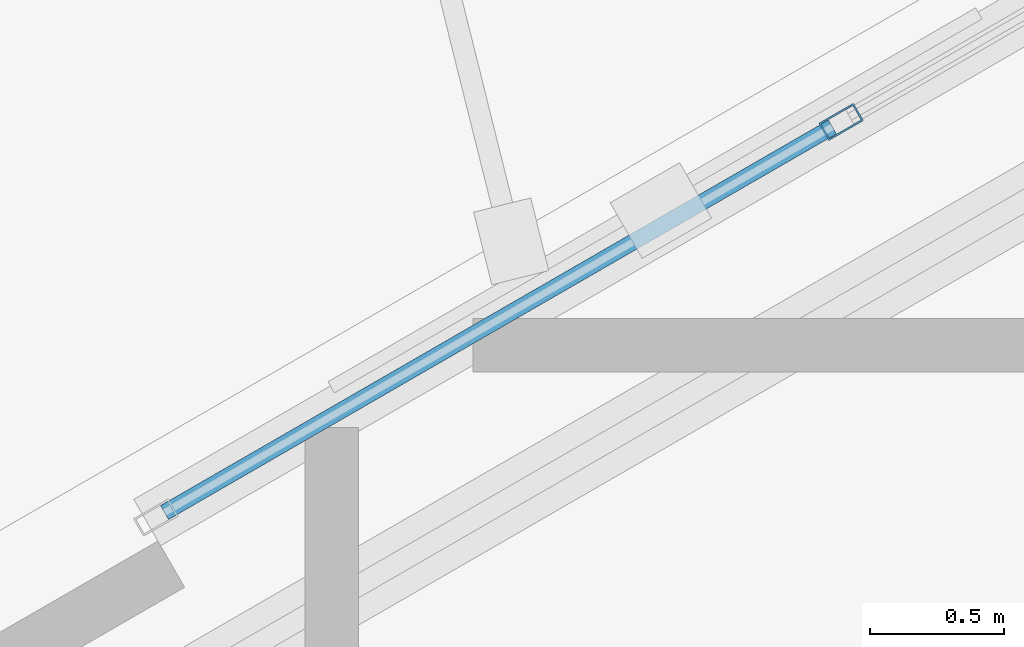
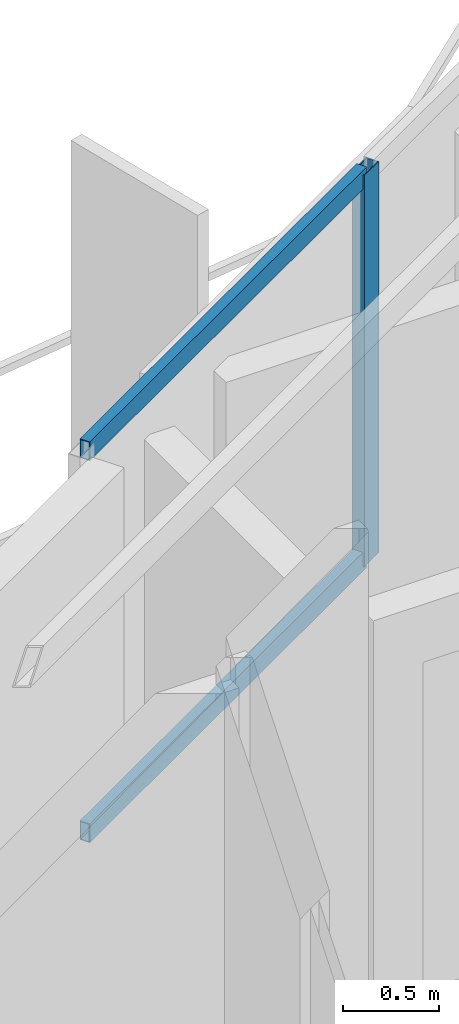
# One storey, part 8 of 22: 3 members, 1 element without a shape of its own.
"""IFC4 building model written with IfcOpenShell, lengths in metres."""

from ifc_helpers import new_model, si_unit, direction, frame, origin, origin_2d, place, context, subcontext, project, spatial, hollow_rectangle, extrude, material, layer, layer_set, material_profile, profile_set, type_object, element, aggregate, save


model = new_model("IFC4")

# Units and contexts
model_context = context("Model", 3, precision=1e-05, world=origin(), true_north=direction((0.0, 1.0)))
body_context = subcontext(model_context, "Body", "Model", "MODEL_VIEW")
ifc_project = project(units=[si_unit("LENGTHUNIT", "METRE"), si_unit("AREAUNIT", "SQUARE_METRE"), si_unit("VOLUMEUNIT", "CUBIC_METRE"), si_unit("PLANEANGLEUNIT", "RADIAN"), si_unit("MASSUNIT", "GRAM", prefix="KILO")], contexts=[model_context])

# Site, building, storey
site_placement = place(None, origin())
site = spatial("IfcSite", under=ifc_project, at=site_placement, CompositionType="ELEMENT")
building_placement = place(site_placement, origin())
building = spatial("IfcBuilding", under=site, at=building_placement, Name="Mersakhor Tower and Convention Hall", CompositionType="ELEMENT")
storey_placement = place(building_placement, frame((0.0, 0.0, 195.300048828125)))
storey = spatial("IfcBuildingStorey", under=building, at=storey_placement, Name="L54", CompositionType="ELEMENT", Elevation=195.300048828125)

# Curtain wall, members
ifc_material_1 = material(Name="Dark solar low-E aluminium curtain wall", Category="aluminium")
ifc_layer = layer(ifc_material_1, 0.169921875)
ifc_layer_set = layer_set([ifc_layer], Name="Dark solar low-E aluminium curtain wall")
curtain_wall_type = type_object("IfcCurtainWallType", Name="CW-SYS-02", PredefinedType="USERDEFINED", material=ifc_layer_set)
curtain_wall_placement = place(storey_placement, origin())
curtain_wall = element("IfcCurtainWall", 1, at=curtain_wall_placement, inside=storey, type_object=curtain_wall_type, Name="L54 Dark-Glass Curtain Wall F1-B2", ObjectType="CURTAIN WALL", PredefinedType="USERDEFINED")
ifc_material_2 = material(Name="Anodised aluminium EN AW-6063 T6", Category="aluminium")
ifc_material_profile_1 = material_profile(ifc_material_2, hollow_rectangle(XDim=0.074951171875, YDim=0.14990234375, WallThickness=0.00634765625, at=origin_2d()), Name="RHS 150x75x6.3")
ifc_profile_set_1 = profile_set([ifc_material_profile_1], Name="Anodised aluminium EN AW-6063 T6")
member_type_1 = type_object("IfcMemberType", Name="CWM-150x75", PredefinedType="MULLION", material=ifc_profile_set_1)
member_1_placement = place(storey_placement, frame((21.906982421875, 36.035888671875, 0.199951171875), z_axis=(0.0, 0.0, 1.0), x_axis=(-0.500007824483, 0.86602088627, 0.0)))
member_1 = element("IfcMember", 2, at=member_1_placement, type_object=member_type_1, Name="CW-02 mullion 2", PredefinedType="MULLION", context=body_context, shape_type="SweptSolid", body=[
    extrude(hollow_rectangle(XDim=0.074951171875, YDim=0.14990234375, WallThickness=0.00634765625, at=origin_2d()), origin(), (0.0, 0.0, 1.0), 2.489990234375),
])
ifc_material_3 = material(Name="Anodised aluminium EN AW-6063 T6", Category="aluminium")
ifc_material_profile_2 = material_profile(ifc_material_3, hollow_rectangle(XDim=0.06005859375, YDim=0.1201171875, WallThickness=0.0048828125, at=origin_2d()), Name="RHS 120x60x5")
ifc_profile_set_2 = profile_set([ifc_material_profile_2], Name="Anodised aluminium EN AW-6063 T6")
member_type_2 = type_object("IfcMemberType", Name="CWT-120x60", PredefinedType="USERDEFINED", material=ifc_profile_set_2)
member_2_placement = place(storey_placement, frame((19.374267578125, 34.573486328125, 0.22998046875), z_axis=(0.86601237176, 0.50002257145, 0.0), x_axis=(-0.50002257145, 0.86601237176, 0.0)))
member_2 = element("IfcMember", 3, at=member_2_placement, type_object=member_type_2, Name="CW-02 transom 1.1", ObjectType="TRANSOM", PredefinedType="USERDEFINED", context=body_context, shape_type="SweptSolid", body=[
    extrude(hollow_rectangle(XDim=0.06005859375, YDim=0.1201171875, WallThickness=0.0048828125, at=origin_2d()), origin(), (0.0, 0.0, 1.0), 2.886962890625),
])
member_3_placement = place(storey_placement, frame((19.374267578125, 34.573486328125, 2.659912109375), z_axis=(0.86601237176, 0.50002257145, 0.0), x_axis=(-0.50002257145, 0.86601237176, 0.0)))
member_3 = element("IfcMember", 4, at=member_3_placement, type_object=member_type_2, Name="CW-02 transom 1.2", ObjectType="TRANSOM", PredefinedType="USERDEFINED", context=body_context, shape_type="SweptSolid", body=[
    extrude(hollow_rectangle(XDim=0.06005859375, YDim=0.1201171875, WallThickness=0.0048828125, at=origin_2d()), origin(), (0.0, 0.0, 1.0), 2.886962890625),
])
aggregate(curtain_wall, [member_1, member_2, member_3])

save(model, "model.ifc")
